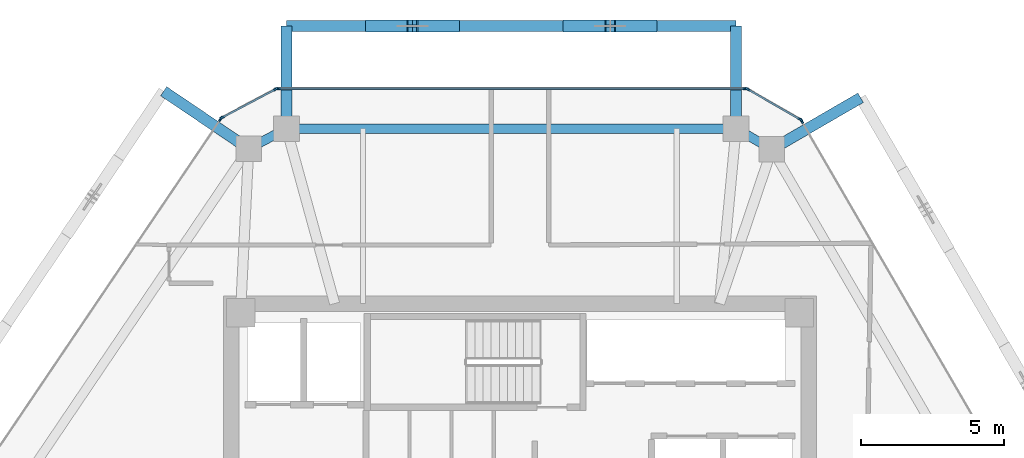
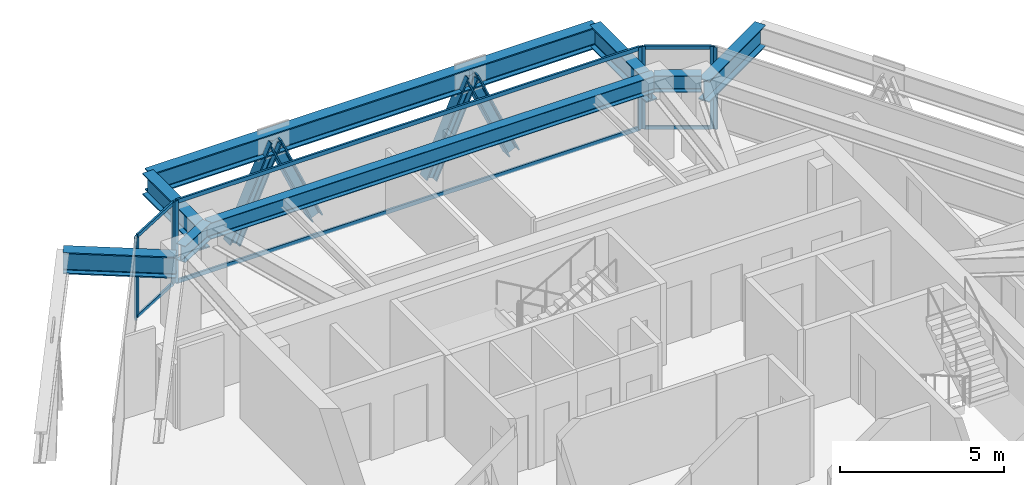
# One storey, part 6 of 13: 18 members, 8 beams, 5 elements without a shape of their own.
"""IFC4 building model written with IfcOpenShell, lengths in metres."""

from ifc_helpers import new_model, si_unit, direction, frame, origin, origin_2d, place, context, subcontext, project, spatial, rectangle, i_section, extrude, source, transform, mapped, material, layer, layer_set, material_profile, profile_set, type_object, type_shapes, element, aggregate, save


model = new_model("IFC4")

# Units and contexts
model_context = context("Model", 3, precision=1e-05, world=origin(), true_north=direction((0.0, 1.0)))
body_context = subcontext(model_context, "Body", "Model", "MODEL_VIEW")
ifc_project = project(units=[si_unit("LENGTHUNIT", "METRE"), si_unit("AREAUNIT", "SQUARE_METRE"), si_unit("VOLUMEUNIT", "CUBIC_METRE"), si_unit("PLANEANGLEUNIT", "RADIAN"), si_unit("MASSUNIT", "GRAM", prefix="KILO")], contexts=[model_context])

# Site, building, storey
site_placement = place(None, origin())
site = spatial("IfcSite", under=ifc_project, at=site_placement, CompositionType="ELEMENT")
building_placement = place(site_placement, origin())
building = spatial("IfcBuilding", under=site, at=building_placement, Name="Durnholm Broadcast Tower", CompositionType="ELEMENT")
storey_placement = place(building_placement, frame((0.0, 0.0, 248.0)))
storey = spatial("IfcBuildingStorey", under=building, at=storey_placement, Name="L69", CompositionType="ELEMENT", Elevation=248.0)

# Beams
ifc_material_1 = material(Name="Steel ASTM A992 Grade 50", Category="steel")
ifc_material_profile_1 = material_profile(ifc_material_1, i_section(OverallWidth=0.385009765625, OverallDepth=0.802978515625, WebThickness=0.023681640625, FlangeThickness=0.0419921875, FilletRadius=0.032958984375, at=origin_2d()), Name="W30X261")
ifc_profile_set_1 = profile_set([ifc_material_profile_1], Name="Steel ASTM A992 Grade 50")
beam_type_1 = type_object("IfcBeamType", Name="BM-EXO-TIE", PredefinedType="USERDEFINED", material=ifc_profile_set_1)
shared_shape_1 = source(origin(), body_context, "Body", "SweptSolid", [
    extrude(i_section(OverallWidth=0.385009765625, OverallDepth=0.802978515625, WebThickness=0.023681640625, FlangeThickness=0.0419921875, FilletRadius=0.032958984375, at=origin_2d()), origin(), (0.0, 0.0, 1.0), 3.4560546875),
])
for number, where, z_axis, x_axis, name in (
    (1, (7.57958984375, 14.406005859375, 2.30859375), (0.0, 1.0, 0.0), (-1.0, 0.0, 0.0), "L69 exoskeleton stand-off tie bracket F4.1"),
    (2, (-8.187744140625, 14.406005859375, 2.30859375), (0.0, 1.0, 0.0), (-1.0, 0.0, 0.0), "L69 exoskeleton stand-off tie bracket F4.2"),
):
    element("IfcBeam", number, at=place(storey_placement, frame(where, z_axis=z_axis, x_axis=x_axis)), inside=storey, type_object=beam_type_1, Name=name, ObjectType="GIRDER", PredefinedType="USERDEFINED", context=body_context, shape_type="MappedRepresentation", body=[
        mapped(shared_shape_1, transform((0.0, 0.0, 0.0), x_axis=(1.0, 0.0, 0.0), y_axis=(0.0, 1.0, 0.0), z_axis=(0.0, 0.0, 1.0), scale=1.0)),
    ])
shared_shape_2 = source(origin(), body_context, "Body", "SweptSolid", [
    extrude(i_section(OverallWidth=0.385009765625, OverallDepth=0.802978515625, WebThickness=0.023681640625, FlangeThickness=0.0419921875, FilletRadius=0.032958984375, at=origin_2d()), origin(), (0.0, 0.0, 1.0), 3.455810546875),
])
for number, where, z_axis, x_axis, name in (
    (3, (8.9619140625, 13.610107421875, 2.30859375), (0.864906682814, 0.501932694715, 0.0), (-0.501932694715, 0.864906682814, 0.0), "L69 exoskeleton stand-off tie bracket F3.2"),
    (4, (-9.63427734375, 13.637939453125, 2.30859375), (-0.828446342252, 0.560068440469, 0.0), (-0.560068440469, -0.828446342252, 0.0), "L69 exoskeleton stand-off tie bracket F5.1"),
):
    element("IfcBeam", number, at=place(storey_placement, frame(where, z_axis=z_axis, x_axis=x_axis)), inside=storey, type_object=beam_type_1, Name=name, ObjectType="GIRDER", PredefinedType="USERDEFINED", context=body_context, shape_type="MappedRepresentation", body=[
        mapped(shared_shape_2, transform((0.0, 0.0, 0.0), x_axis=(1.0, 0.0, 0.0), y_axis=(0.0, 1.0, 0.0), z_axis=(0.0, 0.0, 1.0), scale=1.0)),
    ])
ifc_material_profile_2 = material_profile(ifc_material_1, i_section(OverallWidth=0.3251953125, OverallDepth=0.6162109375, WebThickness=0.013916015625, FlangeThickness=0.021484375, FilletRadius=0.02783203125, at=origin_2d()), Name="W24X117")
ifc_profile_set_2 = profile_set([ifc_material_profile_2], Name="Steel ASTM A992 Grade 50")
beam_type_2 = type_object("IfcBeamType", Name="STL-SP-W24X117", PredefinedType="SPANDREL", material=ifc_profile_set_2)
shared_shape_3 = source(origin(), body_context, "Body", "SweptSolid", [
    extrude(i_section(OverallWidth=0.3251953125, OverallDepth=0.6162109375, WebThickness=0.013916015625, FlangeThickness=0.021484375, FilletRadius=0.02783203125, at=origin_2d()), origin(), (0.0, 0.0, 1.0), 1.502685546875),
])
beam_1_placement = place(storey_placement, frame((-9.514892578125, 13.557373046875, 2.73681640625), z_axis=(0.883241909673, 0.468917614296, 0.0), x_axis=(-0.468917614296, 0.883241909673, 0.0)))
element("IfcBeam", 5, at=beam_1_placement, inside=storey, type_object=beam_type_2, Name="L69 perimeter spandrel girder 04", PredefinedType="SPANDREL", context=body_context, shape_type="MappedRepresentation", body=[
    mapped(shared_shape_3, transform((0.0, 0.0, 0.0), x_axis=(1.0, 0.0, 0.0), y_axis=(0.0, 1.0, 0.0), z_axis=(0.0, 0.0, 1.0), scale=1.0)),
])
shared_shape_4 = source(origin(), body_context, "Body", "SweptSolid", [
    extrude(i_section(OverallWidth=0.3251953125, OverallDepth=0.6162109375, WebThickness=0.013916015625, FlangeThickness=0.021484375, FilletRadius=0.02783203125, at=origin_2d()), origin(), (0.0, 0.0, 1.0), 15.767333984375),
])
beam_2_placement = place(storey_placement, frame((-8.187744140625, 14.261962890625, 2.73681640625), z_axis=(1.0, 0.0, 0.0), x_axis=(0.0, 1.0, 0.0)))
element("IfcBeam", 6, at=beam_2_placement, inside=storey, type_object=beam_type_2, Name="L69 perimeter spandrel girder 05", PredefinedType="SPANDREL", context=body_context, shape_type="MappedRepresentation", body=[
    mapped(shared_shape_4, transform((0.0, 0.0, 0.0), x_axis=(1.0, 0.0, 0.0), y_axis=(0.0, 1.0, 0.0), z_axis=(0.0, 0.0, 1.0), scale=1.0)),
])
shared_shape_5 = source(origin(), body_context, "Body", "SweptSolid", [
    extrude(i_section(OverallWidth=0.3251953125, OverallDepth=0.6162109375, WebThickness=0.013916015625, FlangeThickness=0.021484375, FilletRadius=0.02783203125, at=origin_2d()), origin(), (0.0, 0.0, 1.0), 1.451416015625),
])
type_shapes(beam_type_2, [shared_shape_3, shared_shape_4, shared_shape_5])
beam_3_placement = place(storey_placement, frame((7.57958984375, 14.261962890625, 2.73681640625), z_axis=(0.866571760088, -0.499052486836, 0.0), x_axis=(0.499052486836, 0.866571760088, 0.0)))
element("IfcBeam", 7, at=beam_3_placement, inside=storey, type_object=beam_type_2, Name="L69 perimeter spandrel girder 06", PredefinedType="SPANDREL", context=body_context, shape_type="MappedRepresentation", body=[
    mapped(shared_shape_5, transform((0.0, 0.0, 0.0), x_axis=(1.0, 0.0, 0.0), y_axis=(0.0, 1.0, 0.0), z_axis=(0.0, 0.0, 1.0), scale=1.0)),
])
shared_shape_6 = source(origin(), body_context, "Body", "SweptSolid", [
    extrude(i_section(OverallWidth=0.385009765625, OverallDepth=0.802978515625, WebThickness=0.023681640625, FlangeThickness=0.0419921875, FilletRadius=0.032958984375, at=origin_2d()), origin(), (0.0, 0.0, 1.0), 15.767333984375),
])
type_shapes(beam_type_1, [shared_shape_1, shared_shape_2, shared_shape_6])
beam_4_placement = place(storey_placement, frame((7.57958984375, 17.862060546875, 2.30859375), z_axis=(-1.0, 0.0, 0.0), x_axis=(0.0, -1.0, 0.0)))
element("IfcBeam", 8, at=beam_4_placement, inside=storey, type_object=beam_type_1, Name="L69 exoskeleton collector spandrel F4", PredefinedType="SPANDREL", context=body_context, shape_type="MappedRepresentation", body=[
    mapped(shared_shape_6, transform((0.0, 0.0, 0.0), x_axis=(1.0, 0.0, 0.0), y_axis=(0.0, 1.0, 0.0), z_axis=(0.0, 0.0, 1.0), scale=1.0)),
])

# Members
ifc_material_2 = material(Name="Steel ASTM A913 Grade 65", Category="steel")
ifc_material_profile_3 = material_profile(ifc_material_2, i_section(OverallWidth=0.40625, OverallDepth=0.416015625, WebThickness=0.02978515625, FlangeThickness=0.048095703125, FilletRadius=0.030517578125, at=origin_2d()), Name="W14X257")
ifc_profile_set_3 = profile_set([ifc_material_profile_3], Name="Steel ASTM A913 Grade 65")
member_type_1 = type_object("IfcMemberType", Name="STL-DG-W14X257", PredefinedType="BRACE", material=ifc_profile_set_3)
shared_shape_7 = source(origin(), body_context, "Body", "SweptSolid", [
    extrude(i_section(OverallWidth=0.40625, OverallDepth=0.416015625, WebThickness=0.02978515625, FlangeThickness=0.048095703125, FilletRadius=0.030517578125, at=origin_2d()), origin(), (0.0, 0.0, 1.0), 3.60791015625),
])
for number, where, z_axis, x_axis, name in (
    (9, (4.623046875, 17.862060546875, -0.991455078125), (-0.404184914295, 0.0, 0.914677295584), (0.0, -1.0, 0.0), "L69 stand-off diagrid brace F4.D1.1"),
    (10, (1.70654296875, 17.862060546875, -0.991455078125), (0.404184914295, 0.0, 0.914677295584), (0.0, 1.0, 0.0), "L69 stand-off diagrid brace F4.D1.2"),
    (11, (-5.23095703125, 17.862060546875, -0.991455078125), (0.404184914295, 0.0, 0.914677295584), (0.0, 1.0, 0.0), "L69 stand-off diagrid brace F4.D2.2"),
):
    element("IfcMember", number, at=place(storey_placement, frame(where, z_axis=z_axis, x_axis=x_axis)), inside=storey, type_object=member_type_1, Name=name, PredefinedType="BRACE", context=body_context, shape_type="MappedRepresentation", body=[
        mapped(shared_shape_7, transform((0.0, 0.0, 0.0), x_axis=(1.0, 0.0, 0.0), y_axis=(0.0, 1.0, 0.0), z_axis=(0.0, 0.0, 1.0), scale=1.0)),
    ])
shared_shape_8 = source(origin(), body_context, "Body", "SweptSolid", [
    extrude(i_section(OverallWidth=0.40625, OverallDepth=0.416015625, WebThickness=0.02978515625, FlangeThickness=0.048095703125, FilletRadius=0.030517578125, at=origin_2d()), origin(), (0.0, 0.0, 1.0), 3.607666015625),
])
type_shapes(member_type_1, [shared_shape_7, shared_shape_8])
member_1_placement = place(storey_placement, frame((-2.314697265625, 17.862060546875, -0.991455078125), z_axis=(-0.404128298032, 0.0, 0.914702311536), x_axis=(0.0, -1.0, 0.0)))
element("IfcMember", 12, at=member_1_placement, inside=storey, type_object=member_type_1, Name="L69 stand-off diagrid brace F4.D2.1", PredefinedType="BRACE", context=body_context, shape_type="MappedRepresentation", body=[
    mapped(shared_shape_8, transform((0.0, 0.0, 0.0), x_axis=(1.0, 0.0, 0.0), y_axis=(0.0, 1.0, 0.0), z_axis=(0.0, 0.0, 1.0), scale=1.0)),
])

# Curtain wall, members
ifc_material_3 = material(Name="Aluminium and Solar Control IGU", Category="aluminium")
ifc_layer_1 = layer(ifc_material_3, 0.1650390625)
ifc_layer_set_1 = layer_set([ifc_layer_1], Name="Aluminium and Solar Control IGU")
curtain_wall_type_1 = type_object("IfcCurtainWallType", Name="CW-SYS-5", PredefinedType="NOTDEFINED", material=ifc_layer_set_1)
curtain_wall_1_placement = place(storey_placement, origin())
curtain_wall_1 = element("IfcCurtainWall", 13, at=curtain_wall_1_placement, inside=storey, type_object=curtain_wall_type_1, Name="L69 curtain wall CW-CORNER CW-L69-CRN-03", PredefinedType="NOTDEFINED")
ifc_material_4 = material(Name="Aluminium 6063-T6", Category="aluminium")
ifc_material_profile_4 = material_profile(ifc_material_4, rectangle(XDim=0.06494140625, YDim=0.1298828125, at=origin_2d()), Name="CWT65X130")
ifc_profile_set_4 = profile_set([ifc_material_profile_4], Name="Aluminium 6063-T6")
member_type_2 = type_object("IfcMemberType", Name="CW-SYS-5-TRN", PredefinedType="USERDEFINED", material=ifc_profile_set_4)
shared_shape_9 = source(origin(), body_context, "Body", "SweptSolid", [
    extrude(rectangle(XDim=0.06494140625, YDim=0.1298828125, at=origin_2d()), origin(), (0.0, 0.0, 1.0), 2.070068359375),
])
type_shapes(member_type_2, [shared_shape_9])
member_2_placement = place(storey_placement, frame((-10.421875, 14.66064453125, 0.032470703125), z_axis=(0.883164581026, 0.469063239682, 0.0), x_axis=(-0.469063239682, 0.883164581026, 0.0)))
member_2 = element("IfcMember", 14, at=member_2_placement, type_object=member_type_2, Name="CW-CORNER transom 1.1", ObjectType="TRANSOM", PredefinedType="USERDEFINED", context=body_context, shape_type="MappedRepresentation", body=[
    mapped(shared_shape_9, transform((0.0, 0.0, 0.0), x_axis=(1.0, 0.0, 0.0), y_axis=(0.0, 1.0, 0.0), z_axis=(0.0, 0.0, 1.0), scale=1.0)),
])
member_3_placement = place(storey_placement, frame((-10.421875, 14.66064453125, 3.027587890625), z_axis=(0.883164581026, 0.469063239682, 0.0), x_axis=(-0.469063239682, 0.883164581026, 0.0)))
member_3 = element("IfcMember", 15, at=member_3_placement, type_object=member_type_2, Name="CW-CORNER transom 1.2", ObjectType="TRANSOM", PredefinedType="USERDEFINED", context=body_context, shape_type="MappedRepresentation", body=[
    mapped(shared_shape_9, transform((0.0, 0.0, 0.0), x_axis=(1.0, 0.0, 0.0), y_axis=(0.0, 1.0, 0.0), z_axis=(0.0, 0.0, 1.0), scale=1.0)),
])

curtain_wall_2_placement = place(storey_placement, origin())
curtain_wall_2 = element("IfcCurtainWall", 16, at=curtain_wall_2_placement, inside=storey, type_object=curtain_wall_type_1, Name="L69 curtain wall CW-CORNER CW-L69-CRN-05", PredefinedType="NOTDEFINED")
member_4_placement = place(storey_placement, frame((8.01025390625, 15.629638671875, 0.032470703125), z_axis=(0.866525076636, -0.499133540809, 0.0), x_axis=(0.499133540809, 0.866525076636, 0.0)))
member_4 = element("IfcMember", 17, at=member_4_placement, type_object=member_type_2, Name="CW-CORNER transom 1.1", ObjectType="TRANSOM", PredefinedType="USERDEFINED", context=body_context, shape_type="MappedRepresentation", body=[
    mapped(shared_shape_9, transform((0.0, 0.0, 0.0), x_axis=(1.0, 0.0, 0.0), y_axis=(0.0, 1.0, 0.0), z_axis=(0.0, 0.0, 1.0), scale=1.0)),
])
member_5_placement = place(storey_placement, frame((8.01025390625, 15.629638671875, 3.027587890625), z_axis=(0.866525076636, -0.499133540809, 0.0), x_axis=(0.499133540809, 0.866525076636, 0.0)))
member_5 = element("IfcMember", 18, at=member_5_placement, type_object=member_type_2, Name="CW-CORNER transom 1.2", ObjectType="TRANSOM", PredefinedType="USERDEFINED", context=body_context, shape_type="MappedRepresentation", body=[
    mapped(shared_shape_9, transform((0.0, 0.0, 0.0), x_axis=(1.0, 0.0, 0.0), y_axis=(0.0, 1.0, 0.0), z_axis=(0.0, 0.0, 1.0), scale=1.0)),
])

# Member
ifc_material_profile_5 = material_profile(ifc_material_4, rectangle(XDim=0.06494140625, YDim=0.1650390625, at=origin_2d()), Name="CWM65X165")
ifc_profile_set_5 = profile_set([ifc_material_profile_5], Name="Aluminium 6063-T6")
member_type_3 = type_object("IfcMemberType", Name="CW-SYS-5-MUL", PredefinedType="MULLION", material=ifc_profile_set_5)
shared_shape_10 = source(origin(), body_context, "Body", "SweptSolid", [
    extrude(rectangle(XDim=0.06494140625, YDim=0.1650390625, at=origin_2d()), origin(), (0.0, 0.0, 1.0), 3.06005859375),
])
type_shapes(member_type_3, [shared_shape_10])
member_6_placement = place(storey_placement, frame((-10.45068359375, 14.6455078125, 0.0), z_axis=(0.0, 0.0, 1.0), x_axis=(-0.469006771575, 0.883194569853, 0.0)))
member_6 = element("IfcMember", 19, at=member_6_placement, type_object=member_type_3, Name="CW-CORNER mullion 1", PredefinedType="MULLION", context=body_context, shape_type="MappedRepresentation", body=[
    mapped(shared_shape_10, transform((0.0, 0.0, 0.0), x_axis=(1.0, 0.0, 0.0), y_axis=(0.0, 1.0, 0.0), z_axis=(0.0, 0.0, 1.0), scale=1.0)),
])

member_7_placement = place(storey_placement, frame((-8.565185546875, 15.646728515625, 0.0), z_axis=(0.0, 0.0, 1.0), x_axis=(-0.469006771575, 0.883194569853, 0.0)))
member_7 = element("IfcMember", 20, at=member_7_placement, type_object=member_type_3, Name="CW-CORNER mullion 2", PredefinedType="MULLION", context=body_context, shape_type="MappedRepresentation", body=[
    mapped(shared_shape_10, transform((0.0, 0.0, 0.0), x_axis=(1.0, 0.0, 0.0), y_axis=(0.0, 1.0, 0.0), z_axis=(0.0, 0.0, 1.0), scale=1.0)),
])

aggregate(curtain_wall_1, [member_6, member_7, member_2, member_3])

member_8_placement = place(storey_placement, frame((7.982177734375, 15.645751953125, 0.0), z_axis=(0.0, 0.0, 1.0), x_axis=(0.499058582333, 0.866568249707, 0.0)))
member_8 = element("IfcMember", 21, at=member_8_placement, type_object=member_type_3, Name="CW-CORNER mullion 1", PredefinedType="MULLION", context=body_context, shape_type="MappedRepresentation", body=[
    mapped(shared_shape_10, transform((0.0, 0.0, 0.0), x_axis=(1.0, 0.0, 0.0), y_axis=(0.0, 1.0, 0.0), z_axis=(0.0, 0.0, 1.0), scale=1.0)),
])

member_9_placement = place(storey_placement, frame((9.832275390625, 14.580322265625, 0.0), z_axis=(0.0, 0.0, 1.0), x_axis=(0.499058582333, 0.866568249707, 0.0)))
member_9 = element("IfcMember", 22, at=member_9_placement, type_object=member_type_3, Name="CW-CORNER mullion 2", PredefinedType="MULLION", context=body_context, shape_type="MappedRepresentation", body=[
    mapped(shared_shape_10, transform((0.0, 0.0, 0.0), x_axis=(1.0, 0.0, 0.0), y_axis=(0.0, 1.0, 0.0), z_axis=(0.0, 0.0, 1.0), scale=1.0)),
])

aggregate(curtain_wall_2, [member_8, member_9, member_4, member_5])

# Curtain wall, member
ifc_layer_2 = layer(ifc_material_3, 0.18994140625)
ifc_layer_set_2 = layer_set([ifc_layer_2], Name="Aluminium and Solar Control IGU")
curtain_wall_type_2 = type_object("IfcCurtainWallType", Name="CW-SYS-4", PredefinedType="NOTDEFINED", material=ifc_layer_set_2)
curtain_wall_3_placement = place(storey_placement, origin())
curtain_wall_3 = element("IfcCurtainWall", 23, at=curtain_wall_3_placement, inside=storey, type_object=curtain_wall_type_2, Name="L69 curtain wall CW-Z34-VIS CW-L69-F02", PredefinedType="NOTDEFINED")
ifc_material_profile_6 = material_profile(ifc_material_4, rectangle(XDim=0.070068359375, YDim=0.18994140625, at=origin_2d()), Name="CWM70X190")
ifc_profile_set_6 = profile_set([ifc_material_profile_6], Name="Aluminium 6063-T6")
member_type_4 = type_object("IfcMemberType", Name="CW-SYS-4-MUL", PredefinedType="MULLION", material=ifc_profile_set_6)
shared_shape_11 = source(origin(), body_context, "Body", "SweptSolid", [
    extrude(rectangle(XDim=0.070068359375, YDim=0.18994140625, at=origin_2d()), origin(), (0.0, 0.0, 1.0), 3.06005859375),
])
type_shapes(member_type_4, [shared_shape_11])
member_10_placement = place(storey_placement, frame((-10.4990234375, 14.601318359375, 0.0), z_axis=(0.0, 0.0, 1.0), x_axis=(-0.828443431662, 0.560072745753, 0.0)))
member_10 = element("IfcMember", 24, at=member_10_placement, type_object=member_type_4, Name="CW-Z34-VIS mullion 2", PredefinedType="MULLION", context=body_context, shape_type="MappedRepresentation", body=[
    mapped(shared_shape_11, transform((0.0, 0.0, 0.0), x_axis=(1.0, 0.0, 0.0), y_axis=(0.0, 1.0, 0.0), z_axis=(0.0, 0.0, 1.0), scale=1.0)),
])
aggregate(curtain_wall_3, [member_10])

# Curtain wall, members
curtain_wall_4_placement = place(storey_placement, origin())
curtain_wall_4 = element("IfcCurtainWall", 25, at=curtain_wall_4_placement, inside=storey, type_object=curtain_wall_type_2, Name="L69 curtain wall CW-Z34-VIS CW-L69-F04", PredefinedType="NOTDEFINED")
member_11_placement = place(storey_placement, frame((-8.50146484375, 15.662109375, 0.0), z_axis=(0.0, 0.0, 1.0), x_axis=(0.0, 1.0, 0.0)))
member_11 = element("IfcMember", 26, at=member_11_placement, type_object=member_type_4, Name="CW-Z34-VIS mullion 1", PredefinedType="MULLION", context=body_context, shape_type="MappedRepresentation", body=[
    mapped(shared_shape_11, transform((0.0, 0.0, 0.0), x_axis=(1.0, 0.0, 0.0), y_axis=(0.0, 1.0, 0.0), z_axis=(0.0, 0.0, 1.0), scale=1.0)),
])
member_12_placement = place(storey_placement, frame((7.9189453125, 15.662109375, 0.0), z_axis=(0.0, 0.0, 1.0), x_axis=(0.0, 1.0, 0.0)))
member_12 = element("IfcMember", 27, at=member_12_placement, type_object=member_type_4, Name="CW-Z34-VIS mullion 2", PredefinedType="MULLION", context=body_context, shape_type="MappedRepresentation", body=[
    mapped(shared_shape_11, transform((0.0, 0.0, 0.0), x_axis=(1.0, 0.0, 0.0), y_axis=(0.0, 1.0, 0.0), z_axis=(0.0, 0.0, 1.0), scale=1.0)),
])

# Curtain wall, member
curtain_wall_5_placement = place(storey_placement, origin())
curtain_wall_5 = element("IfcCurtainWall", 28, at=curtain_wall_5_placement, inside=storey, type_object=curtain_wall_type_2, Name="L69 curtain wall CW-Z34-VIS CW-L69-F06", PredefinedType="NOTDEFINED")
member_13_placement = place(storey_placement, frame((9.8779296875, 14.533935546875, 0.0), z_axis=(0.0, 0.0, 1.0), x_axis=(0.864899883824, 0.50194441023, 0.0)))
member_13 = element("IfcMember", 29, at=member_13_placement, type_object=member_type_4, Name="CW-Z34-VIS mullion 1", PredefinedType="MULLION", context=body_context, shape_type="MappedRepresentation", body=[
    mapped(shared_shape_11, transform((0.0, 0.0, 0.0), x_axis=(1.0, 0.0, 0.0), y_axis=(0.0, 1.0, 0.0), z_axis=(0.0, 0.0, 1.0), scale=1.0)),
])
aggregate(curtain_wall_5, [member_13])

# Member
ifc_material_profile_7 = material_profile(ifc_material_4, rectangle(XDim=0.070068359375, YDim=0.14990234375, at=origin_2d()), Name="CWT70X150")
ifc_profile_set_7 = profile_set([ifc_material_profile_7], Name="Aluminium 6063-T6")
member_type_5 = type_object("IfcMemberType", Name="CW-SYS-4-TRN", PredefinedType="USERDEFINED", material=ifc_profile_set_7)
shared_shape_12 = source(origin(), body_context, "Body", "SweptSolid", [
    extrude(rectangle(XDim=0.070068359375, YDim=0.14990234375, at=origin_2d()), origin(), (0.0, 0.0, 1.0), 16.350341796875),
])
type_shapes(member_type_5, [shared_shape_12])
member_14_placement = place(storey_placement, frame((-8.46630859375, 15.662109375, 0.034912109375), z_axis=(1.0, 0.0, 0.0), x_axis=(0.0, 1.0, 0.0)))
member_14 = element("IfcMember", 30, at=member_14_placement, type_object=member_type_5, Name="CW-Z34-VIS transom 1.1", ObjectType="TRANSOM", PredefinedType="USERDEFINED", context=body_context, shape_type="MappedRepresentation", body=[
    mapped(shared_shape_12, transform((0.0, 0.0, 0.0), x_axis=(1.0, 0.0, 0.0), y_axis=(0.0, 1.0, 0.0), z_axis=(0.0, 0.0, 1.0), scale=1.0)),
])

member_15_placement = place(storey_placement, frame((-8.46630859375, 15.662109375, 3.02490234375), z_axis=(1.0, 0.0, 0.0), x_axis=(0.0, 1.0, 0.0)))
member_15 = element("IfcMember", 31, at=member_15_placement, type_object=member_type_5, Name="CW-Z34-VIS transom 1.2", ObjectType="TRANSOM", PredefinedType="USERDEFINED", context=body_context, shape_type="MappedRepresentation", body=[
    mapped(shared_shape_12, transform((0.0, 0.0, 0.0), x_axis=(1.0, 0.0, 0.0), y_axis=(0.0, 1.0, 0.0), z_axis=(0.0, 0.0, 1.0), scale=1.0)),
])

aggregate(curtain_wall_4, [member_11, member_12, member_14, member_15])

save(model, "model.ifc")
